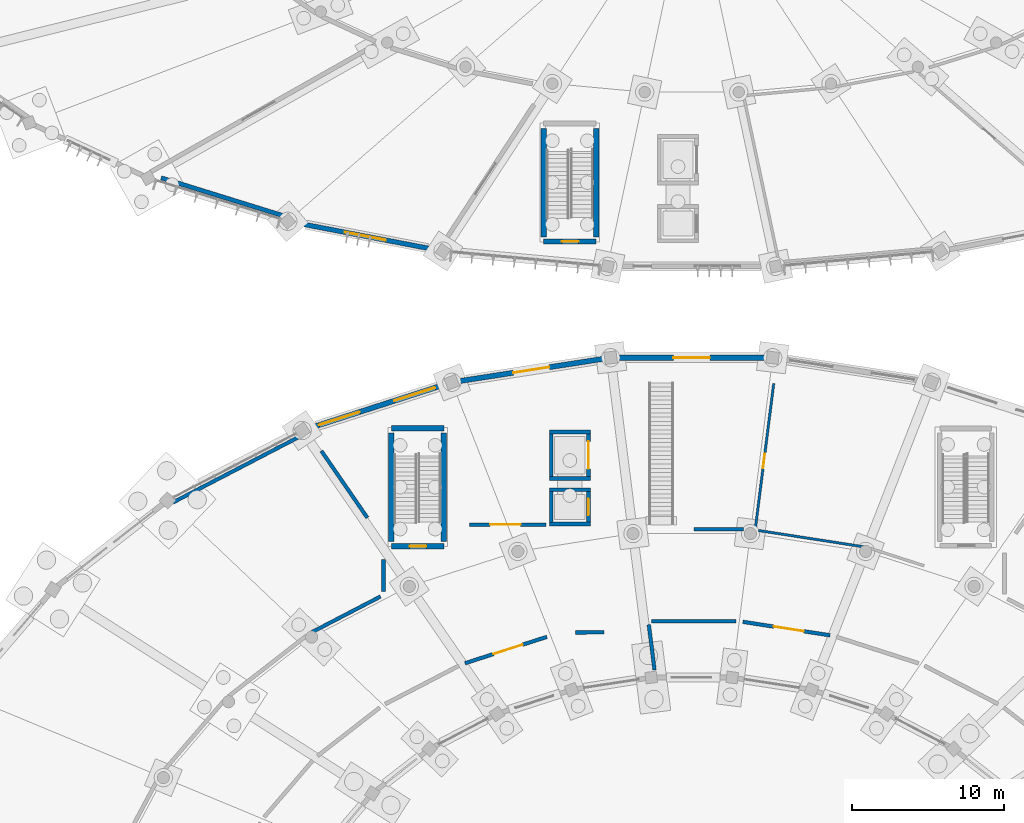
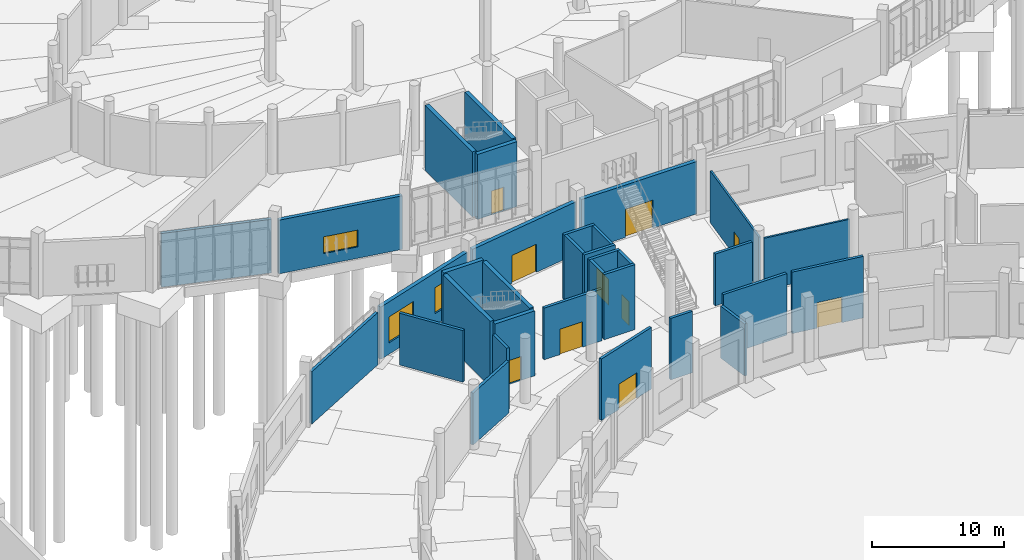
# One storey, part 83 of 140: 33 walls, 10 doors, 3 windows, 13 openings.
"""IFC4 building model written with IfcOpenShell, lengths in metres."""

from ifc_helpers import new_model, si_unit, direction, frame, frame_2d, origin, place, context, subcontext, project, spatial, rectangle, extrude, material, layer, layer_set, type_object, element, fill, save


model = new_model("IFC4")

# Units and contexts
model_context = context("Model", 3, precision=1e-05, world=origin(), true_north=direction((0.0, 1.0)))
body_context = subcontext(model_context, "Body", "Model", "MODEL_VIEW")
ifc_project = project(units=[si_unit("LENGTHUNIT", "METRE"), si_unit("AREAUNIT", "SQUARE_METRE"), si_unit("VOLUMEUNIT", "CUBIC_METRE"), si_unit("PLANEANGLEUNIT", "RADIAN"), si_unit("MASSUNIT", "GRAM", prefix="KILO")], contexts=[model_context])

# Site, building, storey
site_placement = place(None, origin())
site = spatial("IfcSite", under=ifc_project, at=site_placement, CompositionType="ELEMENT")
building_placement = place(site_placement, origin())
building = spatial("IfcBuilding", under=site, at=building_placement, Name="Corvandel Quay Wholesale Market", CompositionType="ELEMENT")
storey_placement = place(building_placement, origin())
storey = spatial("IfcBuildingStorey", under=building, at=storey_placement, Name="L00", CompositionType="ELEMENT", Elevation=0.0)

# Wall
ifc_material_1 = material(Name="PIR insulated food-safe sandwich panel")
ifc_layer_1 = layer(ifc_material_1, 0.280029296875)
ifc_layer_set_1 = layer_set([ifc_layer_1], Name="PIR insulated food-safe sandwich panel")
wall_type_1 = type_object("IfcWallType", Name="Cold Store Insulated Partition PT03 280", PredefinedType="PARTITIONING", material=ifc_layer_set_1)
wall_1_placement = place(storey_placement, frame((87.326904296875, 93.277099609375, 0.0), z_axis=(0.0, 0.0, 1.0), x_axis=(-0.955115709073, 0.296232986484, 0.0)))
element("IfcWall", 1, at=wall_1_placement, inside=storey, type_object=wall_type_1, Name="Interior Wall IW-0593", PredefinedType="PARTITIONING", context=body_context, shape_type="SweptSolid", body=[
    extrude(rectangle(XDim=8.54638671875, YDim=0.280029296875, at=frame_2d((4.273193359375, 0.0))), origin(), (0.0, 0.0, 1.0), 4.949951171875),
])

# Wall, opening, door
ifc_material_2 = material(Name="Concrete C40/50", Category="concrete")
ifc_layer_2 = layer(ifc_material_2, 0.35009765625)
ifc_layer_set_2 = layer_set([ifc_layer_2], Name="Concrete C40/50")
wall_type_2 = type_object("IfcWallType", Name="Core Shear Wall SW01 350", PredefinedType="SHEAR", material=ifc_layer_set_2)
wall_2_placement = place(storey_placement, frame((94.27490234375, 71.625, 0.0), z_axis=(0.0, 0.0, 1.0), x_axis=(1.0, 0.0, 0.0)))
wall_2 = element("IfcWall", 2, at=wall_2_placement, inside=storey, type_object=wall_type_2, Name="Shear Wall IW-0001", PredefinedType="SHEAR", context=body_context, shape_type="SweptSolid", body=[
    extrude(rectangle(XDim=3.4501953125, YDim=0.35009765625, at=frame_2d((1.72509765625, 0.0))), origin(), (0.0, 0.0, 1.0), 6.0),
])
opening_1_placement = place(wall_2_placement, frame((1.199951171875, 0.0, 0.0)))
opening_1 = element("IfcOpeningElement", 3, at=opening_1_placement, cuts=wall_2, Name="Opening L00-D056", PredefinedType="OPENING", context=body_context, shape_type="SweptSolid", body=[
    extrude(rectangle(XDim=1.10009765625, YDim=2.199951171875, at=frame_2d((0.550048828125, 1.10009765625))), frame((0.0, 0.18505859375, 0.0), z_axis=(0.0, -1.0, 0.0), x_axis=(1.0, 0.0, 0.0)), (0.0, 0.0, 1.0), 0.3701171875),
])
ifc_material_3 = material(Name="Galvanised fire-rated hollow steel", Category="steel")
door_type_1 = type_object("IfcDoorType", Name="Exit Stair Fire Door ID01 1100x2200L", OperationType="SINGLE_SWING_LEFT", PredefinedType="DOOR", material=ifc_material_3)
door_1_placement = place(opening_1_placement, origin())
door_1 = element("IfcDoor", 4, at=door_1_placement, inside=storey, type_object=door_type_1, Name="Exit Stair Door SH01-L00", OperationType="SINGLE_SWING_LEFT", OverallHeight=2.199951171875, OverallWidth=1.10009765625, PredefinedType="DOOR", context=body_context, shape_type="SweptSolid", body=[
    extrude(rectangle(XDim=1.10009765625, YDim=2.199951171875, at=frame_2d((0.550048828125, 1.10009765625))), frame((0.0, 0.02490234375, 0.0), z_axis=(0.0, -1.0, 0.0), x_axis=(1.0, 0.0, 0.0)), (0.0, 0.0, 1.0), 0.050048828125),
])
fill(opening_1, door_1)

# Walls
wall_3_placement = place(storey_placement, frame((94.27490234375, 79.375, 0.0), z_axis=(0.0, 0.0, 1.0), x_axis=(1.0, 0.0, 0.0)))
element("IfcWall", 5, at=wall_3_placement, inside=storey, type_object=wall_type_2, Name="Shear Wall IW-0002", PredefinedType="SHEAR", context=body_context, shape_type="SweptSolid", body=[
    extrude(rectangle(XDim=3.4501953125, YDim=0.35009765625, at=frame_2d((1.72509765625, 0.0))), origin(), (0.0, 0.0, 1.0), 6.0),
])
for number, where, z_axis, x_axis, name in (
    (6, (94.27490234375, 71.93994140625, 0.0), (0.0, 0.0, 1.0), (0.0, 1.0, 0.0), "Shear Wall IW-0003"),
    (7, (97.72509765625, 71.93994140625, 0.0), (0.0, 0.0, 1.0), (0.0, 1.0, 0.0), "Shear Wall IW-0004"),
):
    element("IfcWall", number, at=place(storey_placement, frame(where, z_axis=z_axis, x_axis=x_axis)), inside=storey, type_object=wall_type_2, Name=name, PredefinedType="SHEAR", context=body_context, shape_type="SweptSolid", body=[
        extrude(rectangle(XDim=7.1201171875, YDim=0.35009765625, at=frame_2d((3.56005859375, 0.0))), origin(), (0.0, 0.0, 1.0), 6.0),
    ])

# Wall, opening, door
wall_4_placement = place(storey_placement, frame((104.27490234375, 91.625, 0.0), z_axis=(0.0, 0.0, 1.0), x_axis=(1.0, 0.0, 0.0)))
wall_4 = element("IfcWall", 8, at=wall_4_placement, inside=storey, type_object=wall_type_2, Name="Shear Wall IW-0049", PredefinedType="SHEAR", context=body_context, shape_type="SweptSolid", body=[
    extrude(rectangle(XDim=3.4501953125, YDim=0.35009765625, at=frame_2d((1.72509765625, 0.0))), origin(), (0.0, 0.0, 1.0), 6.0),
])
opening_2_placement = place(wall_4_placement, frame((1.199951171875, 0.0, 0.0)))
opening_2 = element("IfcOpeningElement", 9, at=opening_2_placement, cuts=wall_4, Name="Opening L00-D060", PredefinedType="OPENING", context=body_context, shape_type="SweptSolid", body=[
    extrude(rectangle(XDim=1.10009765625, YDim=2.199951171875, at=frame_2d((0.550048828125, 1.10009765625))), frame((0.0, 0.18505859375, 0.0), z_axis=(0.0, -1.0, 0.0), x_axis=(1.0, 0.0, 0.0)), (0.0, 0.0, 1.0), 0.3701171875),
])
door_2_placement = place(opening_2_placement, origin())
door_2 = element("IfcDoor", 10, at=door_2_placement, inside=storey, type_object=door_type_1, Name="Exit Stair Door SH05-L00", OperationType="SINGLE_SWING_LEFT", OverallHeight=2.199951171875, OverallWidth=1.10009765625, PredefinedType="DOOR", context=body_context, shape_type="SweptSolid", body=[
    extrude(rectangle(XDim=1.10009765625, YDim=2.199951171875, at=frame_2d((0.550048828125, 1.10009765625))), frame((0.0, 0.02490234375, 0.0), z_axis=(0.0, -1.0, 0.0), x_axis=(1.0, 0.0, 0.0)), (0.0, 0.0, 1.0), 0.050048828125),
])
fill(opening_2, door_2)

# Walls
for number, where, z_axis, x_axis, name in (
    (11, (104.27490234375, 91.93994140625, 0.0), (0.0, 0.0, 1.0), (0.0, 1.0, 0.0), "Shear Wall IW-0051"),
    (12, (107.72509765625, 91.93994140625, 0.0), (0.0, 0.0, 1.0), (0.0, 1.0, 0.0), "Shear Wall IW-0052"),
):
    element("IfcWall", number, at=place(storey_placement, frame(where, z_axis=z_axis, x_axis=x_axis)), inside=storey, type_object=wall_type_2, Name=name, PredefinedType="SHEAR", context=body_context, shape_type="SweptSolid", body=[
        extrude(rectangle(XDim=7.1201171875, YDim=0.35009765625, at=frame_2d((3.56005859375, 0.0))), origin(), (0.0, 0.0, 1.0), 6.0),
    ])
ifc_material_4 = material(Name="Lightweight concrete blockwork", Category="masonry")
ifc_layer_3 = layer(ifc_material_4, 0.239990234375)
ifc_layer_set_3 = layer_set([ifc_layer_3], Name="Lightweight concrete blockwork")
wall_type_3 = type_object("IfcWallType", Name="Fire Compartment Partition PT01 240", PredefinedType="PARTITIONING", material=ifc_layer_set_3)
wall_5_placement = place(storey_placement, frame((117.388916015625, 72.72998046875, 0.0), z_axis=(0.0, 0.0, 1.0), x_axis=(-1.0, 0.0, 0.0)))
element("IfcWall", 13, at=wall_5_placement, inside=storey, type_object=wall_type_3, Name="Interior Wall IW-0366", PredefinedType="PARTITIONING", context=body_context, shape_type="SweptSolid", body=[
    extrude(rectangle(XDim=3.239013671875, YDim=0.239990234375, at=frame_2d((1.61962890625, 0.0))), origin(), (0.0, 0.0, 1.0), 4.780029296875),
])

# Wall, opening, door
wall_6_placement = place(storey_placement, frame((104.429931640625, 73.0400390625, 0.0), z_axis=(0.0, 0.0, 1.0), x_axis=(-1.0, 0.0, 0.0)))
wall_6 = element("IfcWall", 14, at=wall_6_placement, inside=storey, type_object=wall_type_3, Name="Interior Wall IW-0367", PredefinedType="PARTITIONING", context=body_context, shape_type="SweptSolid", body=[
    extrude(rectangle(XDim=5.034912109375, YDim=0.239990234375, at=frame_2d((2.517578125, 0.0))), origin(), (0.0, 0.0, 1.0), 4.780029296875),
])
opening_3_placement = place(wall_6_placement, frame((1.66796875, 0.0, 0.0)))
opening_3 = element("IfcOpeningElement", 15, at=opening_3_placement, cuts=wall_6, Name="Opening L00-D087", PredefinedType="OPENING", context=body_context, shape_type="SweptSolid", body=[
    extrude(rectangle(XDim=2.0, YDim=2.35009765625, at=frame_2d((1.0, 1.175048828125))), frame((0.0, 0.1298828125, 0.0), z_axis=(0.0, -1.0, 0.0), x_axis=(1.0, 0.0, 0.0)), (0.0, 0.0, 1.0), 0.260009765625),
])
ifc_material_5 = material(Name="Heavy-duty anodised aluminium", Category="aluminium")
door_type_2 = type_object("IfcDoorType", Name="Trading Stall Double Door ID05 2000x2350", OperationType="DOUBLE_DOOR_SINGLE_SWING", PredefinedType="DOOR", material=ifc_material_5)
door_3_placement = place(opening_3_placement, origin())
door_3 = element("IfcDoor", 16, at=door_3_placement, inside=storey, type_object=door_type_2, Name="Produce Hall Lift Lobby and Vestibule V1 Door", OperationType="DOUBLE_DOOR_SINGLE_SWING", OverallHeight=2.35009765625, OverallWidth=2.0, PredefinedType="DOOR", context=body_context, shape_type="SweptSolid", body=[
    extrude(rectangle(XDim=2.0, YDim=2.35009765625, at=frame_2d((1.0, 1.175048828125))), frame((0.0, 0.02490234375, 0.0), z_axis=(0.0, -1.0, 0.0), x_axis=(1.0, 0.0, 0.0)), (0.0, 0.0, 1.0), 0.050048828125),
])
fill(opening_3, door_3)

# Walls
wall_7_placement = place(storey_placement, frame((92.700439453125, 73.48779296875, 0.0), z_axis=(0.0, 0.0, 1.0), x_axis=(-0.566355817311, 0.824160838792, 0.0)))
element("IfcWall", 17, at=wall_7_placement, inside=storey, type_object=wall_type_3, Name="Interior Wall IW-0368", PredefinedType="PARTITIONING", context=body_context, shape_type="SweptSolid", body=[
    extrude(rectangle(XDim=5.33056640625, YDim=0.239990234375, at=frame_2d((2.665283203125, 0.0))), origin(), (0.0, 0.0, 1.0), 4.780029296875),
])
wall_8_placement = place(storey_placement, frame((79.92431640625, 74.488525390625, 0.0), z_axis=(0.0, 0.0, 1.0), x_axis=(0.887320457096, 0.461153343715, 0.0)))
element("IfcWall", 18, at=wall_8_placement, inside=storey, type_object=wall_type_3, Name="Interior Wall IW-0370", PredefinedType="PARTITIONING", context=body_context, shape_type="SweptSolid", body=[
    extrude(rectangle(XDim=9.253173828125, YDim=0.239990234375, at=frame_2d((4.62646484375, 0.0))), origin(), (0.0, 0.0, 1.0), 4.830078125),
])
wall_9_placement = place(storey_placement, frame((93.760009765625, 70.737060546875, 0.0), z_axis=(0.0, 0.0, 1.0), x_axis=(0.0, -1.0, 0.0)))
element("IfcWall", 19, at=wall_9_placement, inside=storey, type_object=wall_type_3, Name="Interior Wall IW-0371", PredefinedType="PARTITIONING", context=body_context, shape_type="SweptSolid", body=[
    extrude(rectangle(XDim=2.09912109375, YDim=0.239990234375, at=frame_2d((1.049560546875, 0.0))), origin(), (0.0, 0.0, 1.0), 5.679931640625),
])
wall_10_placement = place(storey_placement, frame((93.564697265625, 68.31640625, 0.0), z_axis=(0.0, 0.0, 1.0), x_axis=(-0.887255593383, -0.461278128694, 0.0)))
element("IfcWall", 20, at=wall_10_placement, inside=storey, type_object=wall_type_3, Name="Interior Wall IW-0372", PredefinedType="PARTITIONING", context=body_context, shape_type="SweptSolid", body=[
    extrude(rectangle(XDim=5.048583984375, YDim=0.239990234375, at=frame_2d((2.5244140625, 0.0))), origin(), (0.0, 0.0, 1.0), 4.780029296875),
])
wall_11_placement = place(storey_placement, frame((111.560302734375, 63.498291015625, 0.0), z_axis=(0.0, 0.0, 1.0), x_axis=(-0.125729415512, 0.992064571525, 0.0)))
element("IfcWall", 21, at=wall_11_placement, inside=storey, type_object=wall_type_3, Name="Interior Wall IW-0406", PredefinedType="PARTITIONING", context=body_context, shape_type="SweptSolid", body=[
    extrude(rectangle(XDim=2.99609375, YDim=0.239990234375, at=frame_2d((1.498046875, 0.0))), origin(), (0.0, 0.0, 1.0), 4.800048828125),
])
wall_12_placement = place(storey_placement, frame((111.3759765625, 66.68896484375, 0.0), z_axis=(0.0, 0.0, 1.0), x_axis=(1.0, 0.0, 0.0)))
element("IfcWall", 22, at=wall_12_placement, inside=storey, type_object=wall_type_3, Name="Interior Wall IW-0407", PredefinedType="PARTITIONING", context=body_context, shape_type="SweptSolid", body=[
    extrude(rectangle(XDim=5.5439453125, YDim=0.239990234375, at=frame_2d((2.77197265625, 0.0))), origin(), (0.0, 0.0, 1.0), 5.679931640625),
])

# Wall, opening, door
wall_13_placement = place(storey_placement, frame((117.357421875, 66.655517578125, 0.0), z_axis=(0.0, 0.0, 1.0), x_axis=(0.988236355671, -0.152934317046, 0.0)))
wall_13 = element("IfcWall", 23, at=wall_13_placement, inside=storey, type_object=wall_type_3, Name="Interior Wall IW-0408", PredefinedType="PARTITIONING", context=body_context, shape_type="SweptSolid", body=[
    extrude(rectangle(XDim=5.793212890625, YDim=0.239990234375, at=frame_2d((2.896484375, 0.0))), origin(), (0.0, 0.0, 1.0), 5.679931640625),
])
opening_4_placement = place(wall_13_placement, frame((2.047119140625, 0.0, 0.0)))
opening_4 = element("IfcOpeningElement", 24, at=opening_4_placement, cuts=wall_13, Name="Opening L00-D094", PredefinedType="OPENING", context=body_context, shape_type="SweptSolid", body=[
    extrude(rectangle(XDim=2.0, YDim=2.35009765625, at=frame_2d((1.0, 1.175048828125))), frame((0.0, 0.1298828125, 0.0), z_axis=(0.0, -1.0, 0.0), x_axis=(1.0, 0.0, 0.0)), (0.0, 0.0, 1.0), 0.260009765625),
])
door_4_placement = place(opening_4_placement, origin())
door_4 = element("IfcDoor", 25, at=door_4_placement, inside=storey, type_object=door_type_2, Name="Produce Lorry Apron Loading Stalls North Door", OperationType="DOUBLE_DOOR_SINGLE_SWING", OverallHeight=2.35009765625, OverallWidth=2.0, PredefinedType="DOOR", context=body_context, shape_type="SweptSolid", body=[
    extrude(rectangle(XDim=2.0, YDim=2.35009765625, at=frame_2d((1.0, 1.175048828125))), frame((0.0, 0.02490234375, 0.0), z_axis=(0.0, -1.0, 0.0), x_axis=(1.0, 0.0, 0.0)), (0.0, 0.0, 1.0), 0.050048828125),
])
fill(opening_4, door_4)

wall_14_placement = place(storey_placement, frame((99.111328125, 63.935546875, 0.0), z_axis=(0.0, 0.0, 1.0), x_axis=(0.951827438235, 0.306634192193, 0.0)))
wall_14 = element("IfcWall", 26, at=wall_14_placement, inside=storey, type_object=wall_type_3, Name="Interior Wall IW-0420", PredefinedType="PARTITIONING", context=body_context, shape_type="SweptSolid", body=[
    extrude(rectangle(XDim=5.6513671875, YDim=0.239990234375, at=frame_2d((2.82568359375, 0.0))), origin(), (0.0, 0.0, 1.0), 5.679931640625),
])
opening_5_placement = place(wall_14_placement, frame((1.97607421875, 0.0, 0.0)))
opening_5 = element("IfcOpeningElement", 27, at=opening_5_placement, cuts=wall_14, Name="Opening L00-D095", PredefinedType="OPENING", context=body_context, shape_type="SweptSolid", body=[
    extrude(rectangle(XDim=2.0, YDim=2.35009765625, at=frame_2d((1.0, 1.175048828125))), frame((0.0, 0.1298828125, 0.0), z_axis=(0.0, -1.0, 0.0), x_axis=(1.0, 0.0, 0.0)), (0.0, 0.0, 1.0), 0.260009765625),
])
door_5_placement = place(opening_5_placement, origin())
door_5 = element("IfcDoor", 28, at=door_5_placement, inside=storey, type_object=door_type_2, Name="Produce Lorry Apron Loading Stalls West Door", OperationType="DOUBLE_DOOR_SINGLE_SWING", OverallHeight=2.35009765625, OverallWidth=2.0, PredefinedType="DOOR", context=body_context, shape_type="SweptSolid", body=[
    extrude(rectangle(XDim=2.0, YDim=2.35009765625, at=frame_2d((1.0, 1.175048828125))), frame((0.0, 0.02490234375, 0.0), z_axis=(0.0, -1.0, 0.0), x_axis=(1.0, 0.0, 0.0)), (0.0, 0.0, 1.0), 0.050048828125),
])
fill(opening_5, door_5)

# Wall
wall_15_placement = place(storey_placement, frame((106.35693359375, 65.95849609375, 0.0), z_axis=(0.0, 0.0, 1.0), x_axis=(0.999998579605, 0.001685463702, 0.0)))
element("IfcWall", 29, at=wall_15_placement, inside=storey, type_object=wall_type_3, Name="Interior Wall IW-0421", PredefinedType="PARTITIONING", context=body_context, shape_type="SweptSolid", body=[
    extrude(rectangle(XDim=1.883056640625, YDim=0.239990234375, at=frame_2d((0.94140625, 0.0))), origin(), (0.0, 0.0, 1.0), 5.679931640625),
])

# Wall, opening, window
ifc_material_6 = material(Name="Marine precast concrete C45/55", Category="concrete")
ifc_layer_4 = layer(ifc_material_6, 0.31005859375)
ifc_layer_set_4 = layer_set([ifc_layer_4], Name="Marine precast concrete C45/55")
wall_type_4 = type_object("IfcWallType", Name="Fish Hall Marine Precast Wall EW06 310", PredefinedType="SOLIDWALL", material=ifc_layer_set_4)
wall_16_placement = place(storey_placement, frame((87.709716796875, 92.913818359375, 0.0), z_axis=(0.0, 0.0, 1.0), x_axis=(0.981997121081, -0.188895881873, 0.0)))
wall_16 = element("IfcWall", 30, at=wall_16_placement, inside=storey, type_object=wall_type_4, Name="Exterior Wall EW-0134", PredefinedType="SOLIDWALL", context=body_context, shape_type="SweptSolid", body=[
    extrude(rectangle(XDim=9.897705078125, YDim=0.31005859375, at=frame_2d((4.94873046875, 0.0))), origin(), (0.0, 0.0, 1.0), 4.949951171875),
])
opening_6_placement = place(wall_16_placement, frame((3.573974609375, 0.0, 1.050048828125)))
opening_6 = element("IfcOpeningElement", 31, at=opening_6_placement, cuts=wall_16, Name="Opening L00-W062", PredefinedType="OPENING", context=body_context, shape_type="SweptSolid", body=[
    extrude(rectangle(XDim=2.75, YDim=1.550048828125, at=frame_2d((1.375, 0.77490234375))), frame((0.0, 0.1650390625, 0.0), z_axis=(0.0, -1.0, 0.0), x_axis=(1.0, 0.0, 0.0)), (0.0, 0.0, 1.0), 0.330078125),
])
ifc_material_7 = material(Name="Thermally broken bronze anodised aluminium and solar-control low-E double glazing", Category="aluminium")
window_type_1 = type_object("IfcWindowType", Name="North Market Clerestory Window WN24 2750x1550", PartitioningType="SINGLE_PANEL", PredefinedType="WINDOW", material=ifc_material_7)
window_1_placement = place(opening_6_placement, origin())
window_1 = element("IfcWindow", 32, at=window_1_placement, inside=storey, type_object=window_type_1, Name="Window L00-W062", OverallHeight=1.550048828125, OverallWidth=2.75, PartitioningType="SINGLE_PANEL", PredefinedType="WINDOW", context=body_context, shape_type="SweptSolid", body=[
    extrude(rectangle(XDim=2.75, YDim=1.550048828125, at=frame_2d((1.375, 0.77490234375))), frame((0.0, 0.030029296875, 0.0), z_axis=(0.0, -1.0, 0.0), x_axis=(1.0, 0.0, 0.0)), (0.0, 0.0, 1.0), 0.06005859375),
])
fill(opening_6, window_1)

# Walls
ifc_layer_5 = layer(ifc_material_2, 0.25)
ifc_layer_set_5 = layer_set([ifc_layer_5], Name="Concrete C40/50")
wall_type_5 = type_object("IfcWallType", Name="Lift Shaft Shear Wall SW03 250", PredefinedType="SHEAR", material=ifc_layer_set_5)
for number, where, z_axis, x_axis, name in (
    (33, (104.64990234375, 73.074951171875, 0.0), (0.0, 0.0, 1.0), (1.0, 0.0, 0.0), "Shear Wall IW-0241"),
    (34, (104.64990234375, 75.324951171875, 0.0), (0.0, 0.0, 1.0), (1.0, 0.0, 0.0), "Shear Wall IW-0242"),
):
    element("IfcWall", number, at=place(storey_placement, frame(where, z_axis=z_axis, x_axis=x_axis)), inside=storey, type_object=wall_type_5, Name=name, PredefinedType="SHEAR", context=body_context, shape_type="SweptSolid", body=[
        extrude(rectangle(XDim=2.7001953125, YDim=0.25, at=frame_2d((1.35009765625, 0.0))), origin(), (0.0, 0.0, 1.0), 6.0),
    ])
wall_17_placement = place(storey_placement, frame((104.77490234375, 73.18994140625, 0.0), z_axis=(0.0, 0.0, 1.0), x_axis=(0.0, 1.0, 0.0)))
element("IfcWall", 35, at=wall_17_placement, inside=storey, type_object=wall_type_5, Name="Shear Wall IW-0243", PredefinedType="SHEAR", context=body_context, shape_type="SweptSolid", body=[
    extrude(rectangle(XDim=2.02001953125, YDim=0.25, at=frame_2d((1.010009765625, 0.0))), origin(), (0.0, 0.0, 1.0), 6.0),
])

# Wall, opening, door
wall_18_placement = place(storey_placement, frame((107.22509765625, 73.18994140625, 0.0), z_axis=(0.0, 0.0, 1.0), x_axis=(0.0, 1.0, 0.0)))
wall_18 = element("IfcWall", 36, at=wall_18_placement, inside=storey, type_object=wall_type_5, Name="Shear Wall IW-0244", PredefinedType="SHEAR", context=body_context, shape_type="SweptSolid", body=[
    extrude(rectangle(XDim=2.02001953125, YDim=0.25, at=frame_2d((1.010009765625, 0.0))), origin(), (0.0, 0.0, 1.0), 6.0),
])
opening_7_placement = place(wall_18_placement, frame((0.4599609375, 0.0, 0.0)))
opening_7 = element("IfcOpeningElement", 37, at=opening_7_placement, cuts=wall_18, Name="Opening LD-L00-076", PredefinedType="OPENING", context=body_context, shape_type="SweptSolid", body=[
    extrude(rectangle(XDim=1.10009765625, YDim=2.199951171875, at=frame_2d((0.550048828125, 1.10009765625))), frame((0.0, 0.135009765625, 0.0), z_axis=(0.0, -1.0, 0.0), x_axis=(1.0, 0.0, 0.0)), (0.0, 0.0, 1.0), 0.27001953125),
])
ifc_material_8 = material(Name="Brushed stainless steel", Category="steel")
door_type_3 = type_object("IfcDoorType", Name="Passenger Lift Landing Door LD01 1100x2200", OperationType="DOUBLE_DOOR_SLIDING", PredefinedType="DOOR", material=ifc_material_8)
door_6_placement = place(opening_7_placement, origin())
door_6 = element("IfcDoor", 38, at=door_6_placement, inside=storey, type_object=door_type_3, Name="Lift Landing Door LF-V1P1-L00", OperationType="DOUBLE_DOOR_SLIDING", OverallHeight=2.199951171875, OverallWidth=1.10009765625, PredefinedType="DOOR", context=body_context, shape_type="SweptSolid", body=[
    extrude(rectangle(XDim=1.10009765625, YDim=2.199951171875, at=frame_2d((0.550048828125, 1.10009765625))), frame((0.0, 0.02490234375, 0.0), z_axis=(0.0, -1.0, 0.0), x_axis=(1.0, 0.0, 0.0)), (0.0, 0.0, 1.0), 0.050048828125),
])
fill(opening_7, door_6)

# Walls
for number, where, z_axis, x_axis, name in (
    (39, (104.64990234375, 76.074951171875, 0.0), (0.0, 0.0, 1.0), (1.0, 0.0, 0.0), "Shear Wall IW-0253"),
    (40, (104.64990234375, 79.125, 0.0), (0.0, 0.0, 1.0), (1.0, 0.0, 0.0), "Shear Wall IW-0254"),
):
    element("IfcWall", number, at=place(storey_placement, frame(where, z_axis=z_axis, x_axis=x_axis)), inside=storey, type_object=wall_type_5, Name=name, PredefinedType="SHEAR", context=body_context, shape_type="SweptSolid", body=[
        extrude(rectangle(XDim=2.7001953125, YDim=0.25, at=frame_2d((1.35009765625, 0.0))), origin(), (0.0, 0.0, 1.0), 6.0),
    ])
wall_19_placement = place(storey_placement, frame((104.77490234375, 76.18994140625, 0.0), z_axis=(0.0, 0.0, 1.0), x_axis=(0.0, 1.0, 0.0)))
element("IfcWall", 41, at=wall_19_placement, inside=storey, type_object=wall_type_5, Name="Shear Wall IW-0255", PredefinedType="SHEAR", context=body_context, shape_type="SweptSolid", body=[
    extrude(rectangle(XDim=2.820068359375, YDim=0.25, at=frame_2d((1.41015625, 0.0))), origin(), (0.0, 0.0, 1.0), 6.0),
])

# Wall, opening, door
wall_20_placement = place(storey_placement, frame((107.22509765625, 76.18994140625, 0.0), z_axis=(0.0, 0.0, 1.0), x_axis=(0.0, 1.0, 0.0)))
wall_20 = element("IfcWall", 42, at=wall_20_placement, inside=storey, type_object=wall_type_5, Name="Shear Wall IW-0256", PredefinedType="SHEAR", context=body_context, shape_type="SweptSolid", body=[
    extrude(rectangle(XDim=2.820068359375, YDim=0.25, at=frame_2d((1.41015625, 0.0))), origin(), (0.0, 0.0, 1.0), 6.0),
])
opening_8_placement = place(wall_20_placement, frame((0.510009765625, 0.0, 0.0)))
opening_8 = element("IfcOpeningElement", 43, at=opening_8_placement, cuts=wall_20, Name="Opening LD-L00-077", PredefinedType="OPENING", context=body_context, shape_type="SweptSolid", body=[
    extrude(rectangle(XDim=1.800048828125, YDim=2.39990234375, at=frame_2d((0.89990234375, 1.199951171875))), frame((0.0, 0.135009765625, 0.0), z_axis=(0.0, -1.0, 0.0), x_axis=(1.0, 0.0, 0.0)), (0.0, 0.0, 1.0), 0.27001953125),
])
ifc_material_9 = material(Name="Heavy-duty brushed stainless steel", Category="steel")
door_type_4 = type_object("IfcDoorType", Name="Goods Lift Landing Door LD02 1800x2400", OperationType="DOUBLE_DOOR_SLIDING", PredefinedType="DOOR", material=ifc_material_9)
door_7_placement = place(opening_8_placement, origin())
door_7 = element("IfcDoor", 44, at=door_7_placement, inside=storey, type_object=door_type_4, Name="Lift Landing Door LF-V1F1-L00", OperationType="DOUBLE_DOOR_SLIDING", OverallHeight=2.39990234375, OverallWidth=1.800048828125, PredefinedType="DOOR", context=body_context, shape_type="SweptSolid", body=[
    extrude(rectangle(XDim=1.800048828125, YDim=2.39990234375, at=frame_2d((0.89990234375, 1.199951171875))), frame((0.0, 0.02490234375, 0.0), z_axis=(0.0, -1.0, 0.0), x_axis=(1.0, 0.0, 0.0)), (0.0, 0.0, 1.0), 0.050048828125),
])
fill(opening_8, door_7)

# Wall
ifc_material_10 = material(Name="Moisture-resistant tile-backer partition")
ifc_layer_6 = layer(ifc_material_10, 0.159912109375)
ifc_layer_set_6 = layer_set([ifc_layer_6], Name="Moisture-resistant tile-backer partition")
wall_type_6 = type_object("IfcWallType", Name="Sanitary Tile Partition PT06 160", PredefinedType="PARTITIONING", material=ifc_layer_set_6)
wall_21_placement = place(storey_placement, frame((125.2646484375, 71.586669921875, 0.0), z_axis=(0.0, 0.0, 1.0), x_axis=(-0.988233842636, 0.152950554982, 0.0)))
element("IfcWall", 45, at=wall_21_placement, inside=storey, type_object=wall_type_6, Name="Interior Wall IW-0364", PredefinedType="PARTITIONING", context=body_context, shape_type="SweptSolid", body=[
    extrude(rectangle(XDim=6.9609375, YDim=0.159912109375, at=frame_2d((3.48046875, 0.0))), origin(), (0.0, 0.0, 1.0), 4.780029296875),
])

# Wall, opening, door
wall_22_placement = place(storey_placement, frame((118.19580078125, 72.9033203125, 0.0), z_axis=(0.0, 0.0, 1.0), x_axis=(0.125684233178, 0.992070296668, 0.0)))
wall_22 = element("IfcWall", 46, at=wall_22_placement, inside=storey, type_object=wall_type_6, Name="Interior Wall IW-0365", PredefinedType="PARTITIONING", context=body_context, shape_type="SweptSolid", body=[
    extrude(rectangle(XDim=9.4716796875, YDim=0.159912109375, at=frame_2d((4.73583984375, 0.0))), origin(), (0.0, 0.0, 1.0), 4.780029296875),
])
opening_9_placement = place(wall_22_placement, frame((3.885986328125, 0.0, 0.0)))
opening_9 = element("IfcOpeningElement", 47, at=opening_9_placement, cuts=wall_22, Name="Opening L00-D086", PredefinedType="OPENING", context=body_context, shape_type="SweptSolid", body=[
    extrude(rectangle(XDim=0.949951171875, YDim=2.14990234375, at=frame_2d((0.47509765625, 1.074951171875))), frame((0.0, 0.08984375, 0.0), z_axis=(0.0, -1.0, 0.0), x_axis=(1.0, 0.0, 0.0)), (0.0, 0.0, 1.0), 0.179931640625),
])
ifc_material_11 = material(Name="Moisture-resistant HPL solid core")
door_type_5 = type_object("IfcDoorType", Name="Accessible Restroom Door ID13 950x2150L", OperationType="SINGLE_SWING_LEFT", PredefinedType="DOOR", material=ifc_material_11)
door_8_placement = place(opening_9_placement, origin())
door_8 = element("IfcDoor", 48, at=door_8_placement, inside=storey, type_object=door_type_5, Name="Public Accessible Toilet V1 Door", OperationType="SINGLE_SWING_LEFT", OverallHeight=2.14990234375, OverallWidth=0.949951171875, PredefinedType="DOOR", context=body_context, shape_type="SweptSolid", body=[
    extrude(rectangle(XDim=0.949951171875, YDim=2.14990234375, at=frame_2d((0.47509765625, 1.074951171875))), frame((0.0, 0.02490234375, 0.0), z_axis=(0.0, -1.0, 0.0), x_axis=(1.0, 0.0, 0.0)), (0.0, 0.0, 1.0), 0.050048828125),
])
fill(opening_9, door_8)

ifc_material_12 = material(Name="Terracotta precast concrete C45/55", Category="masonry")
ifc_layer_7 = layer(ifc_material_12, 0.340087890625)
ifc_layer_set_7 = layer_set([ifc_layer_7], Name="Terracotta precast concrete C45/55")
wall_type_7 = type_object("IfcWallType", Name="Terracotta Ribbed Precast Wall EW01 340", PredefinedType="SOLIDWALL", material=ifc_layer_set_7)
wall_23_placement = place(storey_placement, frame((119.049072265625, 84.0, 0.0), z_axis=(0.0, 0.0, 1.0), x_axis=(-1.0, 0.0, 0.0)))
wall_23 = element("IfcWall", 49, at=wall_23_placement, inside=storey, type_object=wall_type_7, Name="Exterior Wall EW-0020", PredefinedType="SOLIDWALL", context=body_context, shape_type="SweptSolid", body=[
    extrude(rectangle(XDim=10.09814453125, YDim=0.340087890625, at=frame_2d((5.049072265625, 0.0))), origin(), (0.0, 0.0, 1.0), 4.830078125),
])
opening_10_placement = place(wall_23_placement, frame((3.84912109375, 0.0, 0.0)))
opening_10 = element("IfcOpeningElement", 50, at=opening_10_placement, cuts=wall_23, Name="Opening L00-D004", PredefinedType="OPENING", context=body_context, shape_type="SweptSolid", body=[
    extrude(rectangle(XDim=2.39990234375, YDim=2.60009765625, at=frame_2d((1.199951171875, 1.300048828125))), frame((0.0, 0.179931640625, 0.0), z_axis=(0.0, -1.0, 0.0), x_axis=(1.0, 0.0, 0.0)), (0.0, 0.0, 1.0), 0.360107421875),
])
ifc_material_13 = material(Name="Bronze anodised aluminium and laminated glass", Category="aluminium")
door_type_6 = type_object("IfcDoorType", Name="Main Market Double Entrance Door ED01 2400x2600", OperationType="DOUBLE_DOOR_SINGLE_SWING", PredefinedType="DOOR", material=ifc_material_13)
door_9_placement = place(opening_10_placement, origin())
door_9 = element("IfcDoor", 51, at=door_9_placement, inside=storey, type_object=door_type_6, Name="Main Pedestrian Exit V1-07", OperationType="DOUBLE_DOOR_SINGLE_SWING", OverallHeight=2.60009765625, OverallWidth=2.39990234375, PredefinedType="DOOR", context=body_context, shape_type="SweptSolid", body=[
    extrude(rectangle(XDim=2.39990234375, YDim=2.60009765625, at=frame_2d((1.199951171875, 1.300048828125))), frame((0.0, 0.02490234375, 0.0), z_axis=(0.0, -1.0, 0.0), x_axis=(1.0, 0.0, 0.0)), (0.0, 0.0, 1.0), 0.050048828125),
])
fill(opening_10, door_9)

wall_24_placement = place(storey_placement, frame((108.414306640625, 83.958740234375, 0.0), z_axis=(0.0, 0.0, 1.0), x_axis=(-0.988241433344, -0.152901502352, 0.0)))
wall_24 = element("IfcWall", 52, at=wall_24_placement, inside=storey, type_object=wall_type_7, Name="Exterior Wall EW-0022", PredefinedType="SOLIDWALL", context=body_context, shape_type="SweptSolid", body=[
    extrude(rectangle(XDim=10.01611328125, YDim=0.340087890625, at=frame_2d((5.008056640625, 0.0))), origin(), (0.0, 0.0, 1.0), 4.830078125),
])
opening_11_placement = place(wall_24_placement, frame((3.80810546875, 0.0, 0.0)))
opening_11 = element("IfcOpeningElement", 53, at=opening_11_placement, cuts=wall_24, Name="Opening L00-D005", PredefinedType="OPENING", context=body_context, shape_type="SweptSolid", body=[
    extrude(rectangle(XDim=2.39990234375, YDim=2.60009765625, at=frame_2d((1.199951171875, 1.300048828125))), frame((0.0, 0.179931640625, 0.0), z_axis=(0.0, -1.0, 0.0), x_axis=(1.0, 0.0, 0.0)), (0.0, 0.0, 1.0), 0.360107421875),
])
door_10_placement = place(opening_11_placement, origin())
door_10 = element("IfcDoor", 54, at=door_10_placement, inside=storey, type_object=door_type_6, Name="Main Pedestrian Exit V1-08", OperationType="DOUBLE_DOOR_SINGLE_SWING", OverallHeight=2.60009765625, OverallWidth=2.39990234375, PredefinedType="DOOR", context=body_context, shape_type="SweptSolid", body=[
    extrude(rectangle(XDim=2.39990234375, YDim=2.60009765625, at=frame_2d((1.199951171875, 1.300048828125))), frame((0.0, 0.02490234375, 0.0), z_axis=(0.0, -1.0, 0.0), x_axis=(1.0, 0.0, 0.0)), (0.0, 0.0, 1.0), 0.050048828125),
])
fill(opening_11, door_10)

# Wall, openings, windows
wall_25_placement = place(storey_placement, frame((97.991943359375, 82.30322265625, 0.0), z_axis=(0.0, 0.0, 1.0), x_axis=(-0.95182847269, -0.30663098111, 0.0)))
wall_25 = element("IfcWall", 55, at=wall_25_placement, inside=storey, type_object=wall_type_7, Name="Exterior Wall EW-0025", PredefinedType="SOLIDWALL", context=body_context, shape_type="SweptSolid", body=[
    extrude(rectangle(XDim=9.785400390625, YDim=0.340087890625, at=frame_2d((4.892578125, 0.0))), origin(), (0.0, 0.0, 1.0), 4.830078125),
])
opening_12_placement = place(wall_25_placement, frame((0.89990234375, 0.0, 1.050048828125)))
opening_12 = element("IfcOpeningElement", 56, at=opening_12_placement, cuts=wall_25, Name="Opening L00-W014", PredefinedType="OPENING", context=body_context, shape_type="SweptSolid", body=[
    extrude(rectangle(XDim=2.800048828125, YDim=2.39990234375, at=frame_2d((1.39990234375, 1.199951171875))), frame((0.0, 0.179931640625, 0.0), z_axis=(0.0, -1.0, 0.0), x_axis=(1.0, 0.0, 0.0)), (0.0, 0.0, 1.0), 0.360107421875),
])
opening_13_placement = place(wall_25_placement, frame((6.0849609375, 0.0, 1.050048828125)))
opening_13 = element("IfcOpeningElement", 57, at=opening_13_placement, cuts=wall_25, Name="Opening L00-W015", PredefinedType="OPENING", context=body_context, shape_type="SweptSolid", body=[
    extrude(rectangle(XDim=2.800048828125, YDim=2.39990234375, at=frame_2d((1.39990234375, 1.199951171875))), frame((0.0, 0.179931640625, 0.0), z_axis=(0.0, -1.0, 0.0), x_axis=(1.0, 0.0, 0.0)), (0.0, 0.0, 1.0), 0.360107421875),
])
window_type_2 = type_object("IfcWindowType", Name="Produce Hall Arched Ribbon Window WN01 2800x2400", PartitioningType="SINGLE_PANEL", PredefinedType="WINDOW", material=ifc_material_7)
window_2_placement = place(opening_12_placement, origin())
window_2 = element("IfcWindow", 58, at=window_2_placement, inside=storey, type_object=window_type_2, Name="Window L00-W014", OverallHeight=2.39990234375, OverallWidth=2.800048828125, PartitioningType="SINGLE_PANEL", PredefinedType="WINDOW", context=body_context, shape_type="SweptSolid", body=[
    extrude(rectangle(XDim=2.800048828125, YDim=2.39990234375, at=frame_2d((1.39990234375, 1.199951171875))), frame((0.0, 0.030029296875, 0.0), z_axis=(0.0, -1.0, 0.0), x_axis=(1.0, 0.0, 0.0)), (0.0, 0.0, 1.0), 0.06005859375),
])
fill(opening_12, window_2)
window_3_placement = place(opening_13_placement, origin())
window_3 = element("IfcWindow", 59, at=window_3_placement, inside=storey, type_object=window_type_2, Name="Window L00-W015", OverallHeight=2.39990234375, OverallWidth=2.800048828125, PartitioningType="SINGLE_PANEL", PredefinedType="WINDOW", context=body_context, shape_type="SweptSolid", body=[
    extrude(rectangle(XDim=2.800048828125, YDim=2.39990234375, at=frame_2d((1.39990234375, 1.199951171875))), frame((0.0, 0.030029296875, 0.0), z_axis=(0.0, -1.0, 0.0), x_axis=(1.0, 0.0, 0.0)), (0.0, 0.0, 1.0), 0.06005859375),
])
fill(opening_13, window_3)

save(model, "model.ifc")
